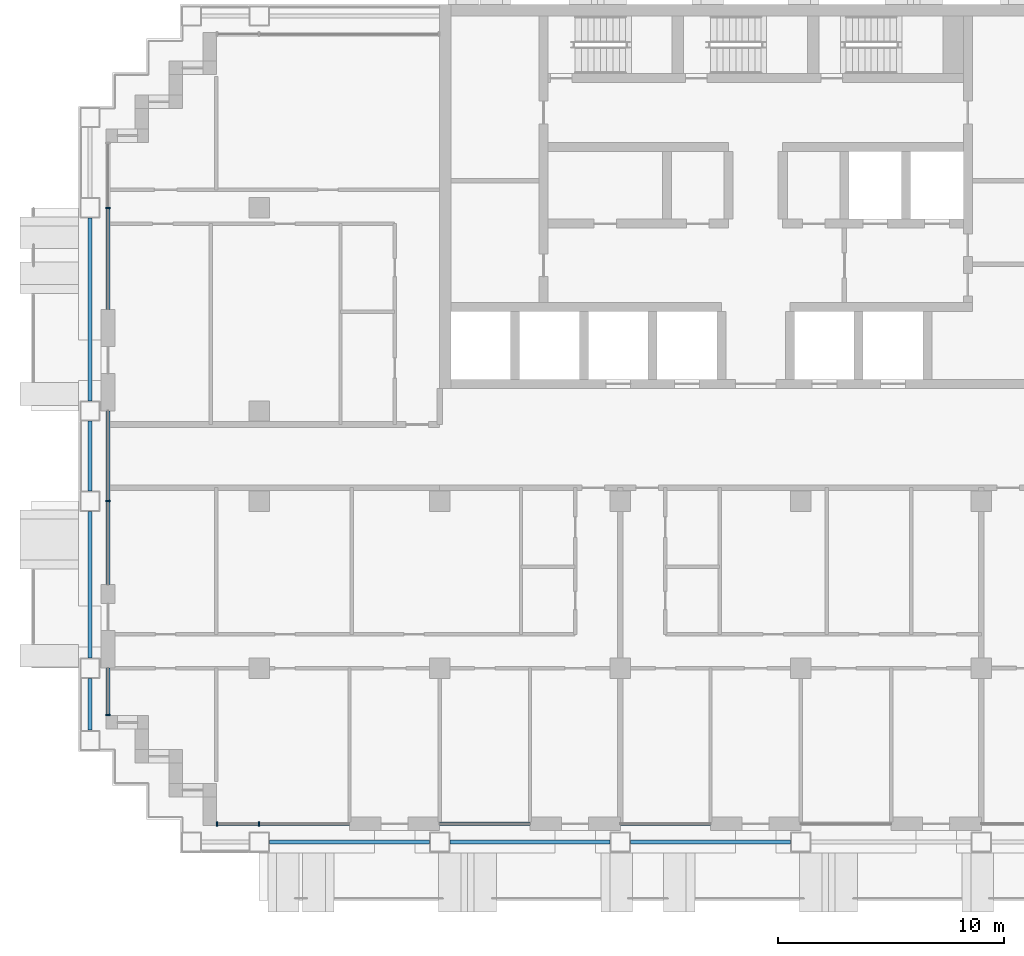
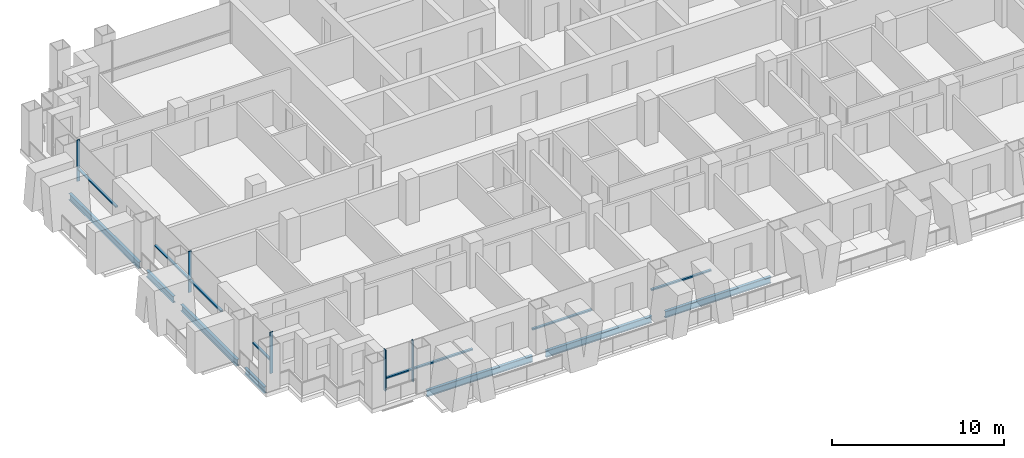
# One storey, part 2 of 18: 13 members, 7 beams, 6 elements without a shape of their own.
"""IFC4 building model written with IfcOpenShell, lengths in metres."""

from ifc_helpers import new_model, si_unit, direction, frame, origin, origin_2d, place, context, subcontext, project, spatial, rectangle, i_section, extrude, material, material_profile, profile_set, type_object, element, aggregate, save


model = new_model("IFC4")

# Units and contexts
model_context = context("Model", 3, precision=1e-05, world=origin(), true_north=direction((0.0, 1.0)))
body_context = subcontext(model_context, "Body", "Model", "MODEL_VIEW")
ifc_project = project(units=[si_unit("LENGTHUNIT", "METRE"), si_unit("AREAUNIT", "SQUARE_METRE"), si_unit("VOLUMEUNIT", "CUBIC_METRE"), si_unit("PLANEANGLEUNIT", "RADIAN"), si_unit("MASSUNIT", "GRAM", prefix="KILO")], contexts=[model_context])

# Site, building, storey
site_placement = place(None, origin())
site = spatial("IfcSite", under=ifc_project, at=site_placement, CompositionType="ELEMENT")
building_placement = place(site_placement, origin())
building = spatial("IfcBuilding", under=site, at=building_placement, Name="Vidyagriha Tower", CompositionType="ELEMENT")
storey_placement = place(building_placement, frame((0.0, 0.0, 80.699951171875)))
storey = spatial("IfcBuildingStorey", under=building, at=storey_placement, Name="L20", CompositionType="ELEMENT", Elevation=80.699951171875)

# Beams
ifc_material_1 = material(Name="Steel ASTM A992 Grade 50", Category="steel")
ifc_material_profile_1 = material_profile(ifc_material_1, i_section(OverallWidth=0.19189453125, OverallDepth=0.46240234375, WebThickness=0.010498046875, FlangeThickness=0.017578125, at=origin_2d()), Name="W18X60")
ifc_profile_set_1 = profile_set([ifc_material_profile_1], Name="Steel ASTM A992 Grade 50")
beam_type = type_object("IfcBeamType", Name="Edge beam W18X60", PredefinedType="SPANDREL", material=ifc_profile_set_1)
for number, where, z_axis, x_axis, name in (
    (1, (-21.550048828125, -17.10009765625, -0.510986328125), (1.0, 0.0, 0.0), (0.0, 1.0, 0.0), "st-beam-L20-S02"),
    (2, (-13.550048828125, -17.10009765625, -0.510986328125), (1.0, 0.0, 0.0), (0.0, 1.0, 0.0), "st-beam-L20-S03"),
    (3, (-5.550048828125, -17.10009765625, -0.510986328125), (1.0, 0.0, 0.0), (0.0, 1.0, 0.0), "st-beam-L20-S04"),
):
    element("IfcBeam", number, at=place(storey_placement, frame(where, z_axis=z_axis, x_axis=x_axis)), inside=storey, type_object=beam_type, Name=name, PredefinedType="SPANDREL", context=body_context, shape_type="SweptSolid", body=[
        extrude(i_section(OverallWidth=0.19189453125, OverallDepth=0.46240234375, WebThickness=0.010498046875, FlangeThickness=0.017578125, at=origin_2d()), origin(), (0.0, 0.0, 1.0), 7.10009765625),
    ])
beam_1_placement = place(storey_placement, frame((-29.5, -12.14990234375, -0.510986328125), z_axis=(0.0, 1.0, 0.0), x_axis=(-1.0, 0.0, 0.0)))
element("IfcBeam", 4, at=beam_1_placement, inside=storey, type_object=beam_type, Name="st-beam-L20-W10", PredefinedType="SPANDREL", context=body_context, shape_type="SweptSolid", body=[
    extrude(i_section(OverallWidth=0.19189453125, OverallDepth=0.46240234375, WebThickness=0.010498046875, FlangeThickness=0.017578125, at=origin_2d()), origin(), (0.0, 0.0, 1.0), 2.2998046875),
])
beam_2_placement = place(storey_placement, frame((-29.5, -8.949951171875, -0.510986328125), z_axis=(0.0, 1.0, 0.0), x_axis=(-1.0, 0.0, 0.0)))
element("IfcBeam", 5, at=beam_2_placement, inside=storey, type_object=beam_type, Name="st-beam-L20-W11", PredefinedType="SPANDREL", context=body_context, shape_type="SweptSolid", body=[
    extrude(i_section(OverallWidth=0.19189453125, OverallDepth=0.46240234375, WebThickness=0.010498046875, FlangeThickness=0.017578125, at=origin_2d()), origin(), (0.0, 0.0, 1.0), 6.5),
])
beam_3_placement = place(storey_placement, frame((-29.5, -1.550048828125, -0.510986328125), z_axis=(0.0, 1.0, 0.0), x_axis=(-1.0, 0.0, 0.0)))
element("IfcBeam", 6, at=beam_3_placement, inside=storey, type_object=beam_type, Name="st-beam-L20-W12", PredefinedType="SPANDREL", context=body_context, shape_type="SweptSolid", body=[
    extrude(i_section(OverallWidth=0.19189453125, OverallDepth=0.46240234375, WebThickness=0.010498046875, FlangeThickness=0.017578125, at=origin_2d()), origin(), (0.0, 0.0, 1.0), 3.10009765625),
])
beam_4_placement = place(storey_placement, frame((-29.5, 2.449951171875, -0.510986328125), z_axis=(0.0, 1.0, 0.0), x_axis=(-1.0, 0.0, 0.0)))
element("IfcBeam", 7, at=beam_4_placement, inside=storey, type_object=beam_type, Name="st-beam-L20-W13", PredefinedType="SPANDREL", context=body_context, shape_type="SweptSolid", body=[
    extrude(i_section(OverallWidth=0.19189453125, OverallDepth=0.46240234375, WebThickness=0.010498046875, FlangeThickness=0.017578125, at=origin_2d()), origin(), (0.0, 0.0, 1.0), 8.10009765625),
])

# Curtain wall, member
ifc_material_2 = material(Name="Aluminium and glass curtain wall", Category="aluminium")
curtain_wall_type = type_object("IfcCurtainWallType", Name="Dwelling skin unitised curtain wall", PredefinedType="USERDEFINED", material=ifc_material_2)
curtain_wall_1_placement = place(storey_placement, origin())
curtain_wall_1 = element("IfcCurtainWall", 8, at=curtain_wall_1_placement, inside=storey, type_object=curtain_wall_type, Name="CW1 dwelling skin", ObjectType="UNITISED", PredefinedType="USERDEFINED")
ifc_material_3 = material(Name="Aluminium black anodised", Category="aluminium")
ifc_material_profile_2 = material_profile(ifc_material_3, rectangle(XDim=0.199951171875, YDim=0.070068359375, at=origin_2d()), Name="Mullion 70x200 black aluminium")
ifc_profile_set_2 = profile_set([ifc_material_profile_2], Name="Aluminium black anodised")
member_type_1 = type_object("IfcMemberType", Name="Mullion 70x200 black aluminium", PredefinedType="MULLION", material=ifc_profile_set_2)
member_1_placement = place(storey_placement, frame((-28.699951171875, 11.0, 0.0)))
member_1 = element("IfcMember", 9, at=member_1_placement, type_object=member_type_1, Name="CW1 mullion 2", PredefinedType="MULLION", context=body_context, shape_type="SweptSolid", body=[
    extrude(rectangle(XDim=0.199951171875, YDim=0.070068359375, at=origin_2d()), origin(), (0.0, 0.0, 1.0), 2.920166015625),
])

curtain_wall_2_placement = place(storey_placement, origin())
curtain_wall_2 = element("IfcCurtainWall", 10, at=curtain_wall_2_placement, inside=storey, type_object=curtain_wall_type, Name="CW1 dwelling skin", ObjectType="UNITISED", PredefinedType="USERDEFINED")
member_2_placement = place(storey_placement, frame((-28.699951171875, -2.0, 0.0)))
member_2 = element("IfcMember", 11, at=member_2_placement, type_object=member_type_1, Name="CW1 mullion 2", PredefinedType="MULLION", context=body_context, shape_type="SweptSolid", body=[
    extrude(rectangle(XDim=0.199951171875, YDim=0.070068359375, at=origin_2d()), origin(), (0.0, 0.0, 1.0), 2.920166015625),
])

curtain_wall_3_placement = place(storey_placement, origin())
curtain_wall_3 = element("IfcCurtainWall", 12, at=curtain_wall_3_placement, inside=storey, type_object=curtain_wall_type, Name="CW1 dwelling skin", ObjectType="UNITISED", PredefinedType="USERDEFINED")
member_3_placement = place(storey_placement, frame((-28.699951171875, -11.465087890625, 0.0)))
member_3 = element("IfcMember", 13, at=member_3_placement, type_object=member_type_1, Name="CW1 mullion 2", PredefinedType="MULLION", context=body_context, shape_type="SweptSolid", body=[
    extrude(rectangle(XDim=0.199951171875, YDim=0.070068359375, at=origin_2d()), origin(), (0.0, 0.0, 1.0), 2.920166015625),
])

# Curtain wall, members
curtain_wall_4_placement = place(storey_placement, origin())
curtain_wall_4 = element("IfcCurtainWall", 14, at=curtain_wall_4_placement, inside=storey, type_object=curtain_wall_type, Name="CW1 dwelling skin", ObjectType="UNITISED", PredefinedType="USERDEFINED")
member_4_placement = place(storey_placement, frame((-23.864990234375, -16.300048828125, 0.0), z_axis=(0.0, 0.0, 1.0), x_axis=(0.0, 1.0, 0.0)))
member_4 = element("IfcMember", 15, at=member_4_placement, type_object=member_type_1, Name="CW1 mullion 1", PredefinedType="MULLION", context=body_context, shape_type="SweptSolid", body=[
    extrude(rectangle(XDim=0.199951171875, YDim=0.070068359375, at=origin_2d()), origin(), (0.0, 0.0, 1.0), 2.920166015625),
])
member_5_placement = place(storey_placement, frame((-22.0, -16.300048828125, 0.0), z_axis=(0.0, 0.0, 1.0), x_axis=(0.0, 1.0, 0.0)))
member_5 = element("IfcMember", 16, at=member_5_placement, type_object=member_type_1, Name="CW1 mullion 2", PredefinedType="MULLION", context=body_context, shape_type="SweptSolid", body=[
    extrude(rectangle(XDim=0.199951171875, YDim=0.070068359375, at=origin_2d()), origin(), (0.0, 0.0, 1.0), 2.920166015625),
])

# Member
ifc_material_4 = material(Name="Aluminium black anodised", Category="aluminium")
ifc_material_profile_3 = material_profile(ifc_material_4, rectangle(XDim=0.159912109375, YDim=0.10009765625, at=origin_2d()), Name="Transom 100x160 black aluminium")
ifc_profile_set_3 = profile_set([ifc_material_profile_3], Name="Aluminium black anodised")
member_type_2 = type_object("IfcMemberType", Name="Transom 100x160 black aluminium", PredefinedType="USERDEFINED", material=ifc_profile_set_3)
member_6_placement = place(storey_placement, frame((-28.699951171875, 10.965087890625, 0.900146484375), z_axis=(0.0, -1.0, 0.0), x_axis=(1.0, 0.0, 0.0)))
member_6 = element("IfcMember", 17, at=member_6_placement, type_object=member_type_2, Name="CW1 transom 2.1", ObjectType="TRANSOM", PredefinedType="USERDEFINED", context=body_context, shape_type="SweptSolid", body=[
    extrude(rectangle(XDim=0.159912109375, YDim=0.10009765625, at=origin_2d()), origin(), (0.0, 0.0, 1.0), 4.465087890625),
])

aggregate(curtain_wall_1, [member_1, member_6])

member_7_placement = place(storey_placement, frame((-28.699951171875, 2.0, 0.900146484375), z_axis=(0.0, -1.0, 0.0), x_axis=(1.0, 0.0, 0.0)))
member_7 = element("IfcMember", 18, at=member_7_placement, type_object=member_type_2, Name="CW1 transom 1.1", ObjectType="TRANSOM", PredefinedType="USERDEFINED", context=body_context, shape_type="SweptSolid", body=[
    extrude(rectangle(XDim=0.159912109375, YDim=0.10009765625, at=origin_2d()), origin(), (0.0, 0.0, 1.0), 3.965087890625),
])

member_8_placement = place(storey_placement, frame((-28.699951171875, -2.034912109375, 0.900146484375), z_axis=(0.0, -1.0, 0.0), x_axis=(1.0, 0.0, 0.0)))
member_8 = element("IfcMember", 19, at=member_8_placement, type_object=member_type_2, Name="CW1 transom 2.1", ObjectType="TRANSOM", PredefinedType="USERDEFINED", context=body_context, shape_type="SweptSolid", body=[
    extrude(rectangle(XDim=0.159912109375, YDim=0.10009765625, at=origin_2d()), origin(), (0.0, 0.0, 1.0), 3.6650390625),
])

aggregate(curtain_wall_2, [member_2, member_7, member_8])

member_9_placement = place(storey_placement, frame((-28.699951171875, -9.39990234375, 0.900146484375), z_axis=(0.0, -1.0, 0.0), x_axis=(1.0, 0.0, 0.0)))
member_9 = element("IfcMember", 20, at=member_9_placement, type_object=member_type_2, Name="CW1 transom 1.1", ObjectType="TRANSOM", PredefinedType="USERDEFINED", context=body_context, shape_type="SweptSolid", body=[
    extrude(rectangle(XDim=0.159912109375, YDim=0.10009765625, at=origin_2d()), origin(), (0.0, 0.0, 1.0), 2.030029296875),
])

aggregate(curtain_wall_3, [member_3, member_9])

member_10_placement = place(storey_placement, frame((-23.830078125, -16.300048828125, 0.900146484375), z_axis=(1.0, 0.0, 0.0), x_axis=(0.0, 1.0, 0.0)))
member_10 = element("IfcMember", 21, at=member_10_placement, type_object=member_type_2, Name="CW1 transom 1.1", ObjectType="TRANSOM", PredefinedType="USERDEFINED", context=body_context, shape_type="SweptSolid", body=[
    extrude(rectangle(XDim=0.159912109375, YDim=0.10009765625, at=origin_2d()), origin(), (0.0, 0.0, 1.0), 1.795166015625),
])

member_11_placement = place(storey_placement, frame((-21.965087890625, -16.300048828125, 0.900146484375), z_axis=(1.0, 0.0, 0.0), x_axis=(0.0, 1.0, 0.0)))
member_11 = element("IfcMember", 22, at=member_11_placement, type_object=member_type_2, Name="CW1 transom 2.1", ObjectType="TRANSOM", PredefinedType="USERDEFINED", context=body_context, shape_type="SweptSolid", body=[
    extrude(rectangle(XDim=0.159912109375, YDim=0.10009765625, at=origin_2d()), origin(), (0.0, 0.0, 1.0), 3.965087890625),
])

aggregate(curtain_wall_4, [member_4, member_5, member_10, member_11])

# Curtain wall, member
curtain_wall_5_placement = place(storey_placement, origin())
curtain_wall_5 = element("IfcCurtainWall", 23, at=curtain_wall_5_placement, inside=storey, type_object=curtain_wall_type, Name="CW1 dwelling skin", ObjectType="UNITISED", PredefinedType="USERDEFINED")
member_12_placement = place(storey_placement, frame((-14.0, -16.300048828125, 0.900146484375), z_axis=(1.0, 0.0, 0.0), x_axis=(0.0, 1.0, 0.0)))
member_12 = element("IfcMember", 24, at=member_12_placement, type_object=member_type_2, Name="CW1 transom 1.1", ObjectType="TRANSOM", PredefinedType="USERDEFINED", context=body_context, shape_type="SweptSolid", body=[
    extrude(rectangle(XDim=0.159912109375, YDim=0.10009765625, at=origin_2d()), origin(), (0.0, 0.0, 1.0), 4.0),
])
aggregate(curtain_wall_5, [member_12])

curtain_wall_6_placement = place(storey_placement, origin())
curtain_wall_6 = element("IfcCurtainWall", 25, at=curtain_wall_6_placement, inside=storey, type_object=curtain_wall_type, Name="CW1 dwelling skin", ObjectType="UNITISED", PredefinedType="USERDEFINED")
member_13_placement = place(storey_placement, frame((-6.0, -16.300048828125, 0.900146484375), z_axis=(1.0, 0.0, 0.0), x_axis=(0.0, 1.0, 0.0)))
member_13 = element("IfcMember", 26, at=member_13_placement, type_object=member_type_2, Name="CW1 transom 1.1", ObjectType="TRANSOM", PredefinedType="USERDEFINED", context=body_context, shape_type="SweptSolid", body=[
    extrude(rectangle(XDim=0.159912109375, YDim=0.10009765625, at=origin_2d()), origin(), (0.0, 0.0, 1.0), 4.0),
])
aggregate(curtain_wall_6, [member_13])

save(model, "model.ifc")
